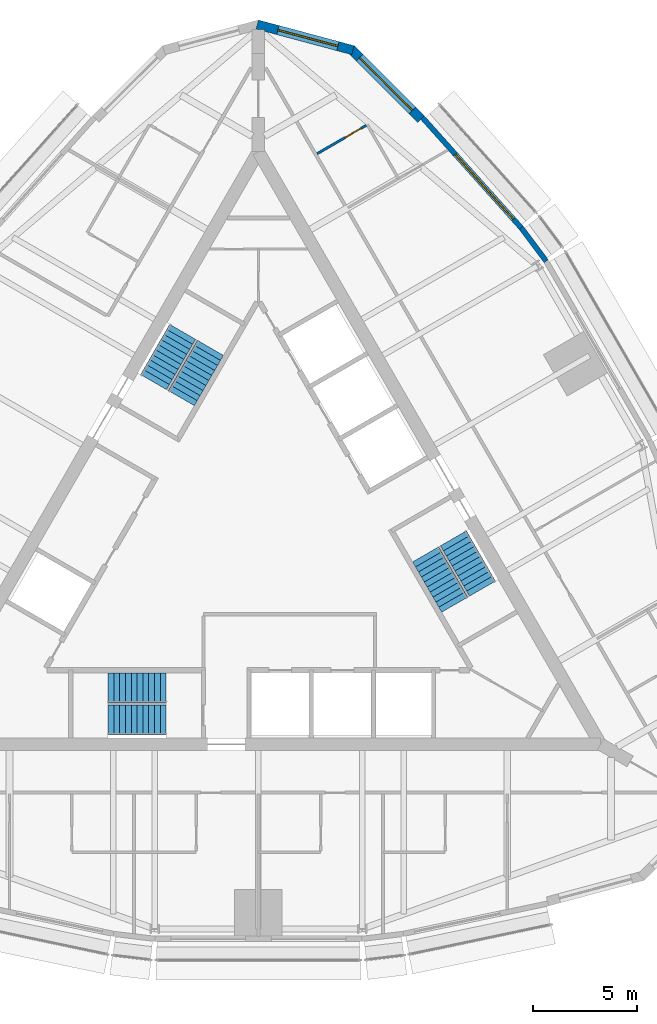
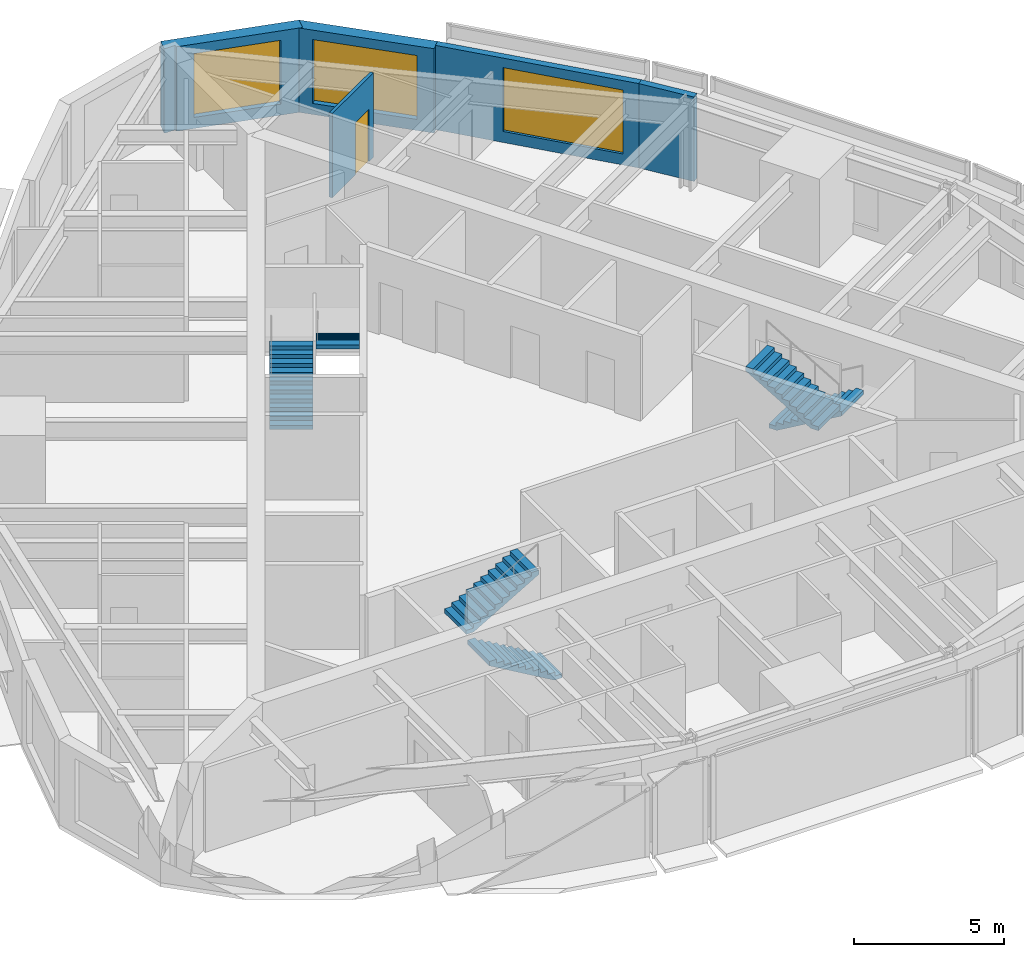
# One storey, part 11 of 12: 6 stair flights, 5 walls, 3 windows, 1 door, 4 openings, 3 elements without a shape of their own.
"""IFC4 building model written with IfcOpenShell, lengths in metres."""

from ifc_helpers import new_model, si_unit, direction, frame, frame_2d, origin, place, context, subcontext, project, spatial, polyline, rectangle, outline, extrude, material, layer, layer_set, type_object, element, fill, aggregate, save


model = new_model("IFC4")

# Units and contexts
model_context = context("Model", 3, precision=1e-05, world=origin(), true_north=direction((0.0, 1.0)))
body_context = subcontext(model_context, "Body", "Model", "MODEL_VIEW")
ifc_project = project(units=[si_unit("LENGTHUNIT", "METRE"), si_unit("AREAUNIT", "SQUARE_METRE"), si_unit("VOLUMEUNIT", "CUBIC_METRE"), si_unit("PLANEANGLEUNIT", "RADIAN"), si_unit("MASSUNIT", "GRAM", prefix="KILO")], contexts=[model_context])

# Site, building, storey
site_placement = place(None, origin())
site = spatial("IfcSite", under=ifc_project, at=site_placement, CompositionType="ELEMENT")
building_placement = place(site_placement, origin())
building = spatial("IfcBuilding", under=site, at=building_placement, Name="Trikona Tower", CompositionType="ELEMENT")
storey_placement = place(building_placement, frame((0.0, 0.0, 268.10009765625)))
storey = spatial("IfcBuildingStorey", under=building, at=storey_placement, Name="L71", CompositionType="ELEMENT", Elevation=268.10009765625)

# Wall, opening, door
ifc_material_1 = material(Name="Metal stud and cement board", Category="gypsum")
ifc_layer_1 = layer(ifc_material_1, 0.1201171875)
ifc_layer_set_1 = layer_set([ifc_layer_1], Name="Bathroom wall 120")
wall_type_1 = type_object("IfcWallType", Name="Bathroom wall 120", PredefinedType="PLUMBINGWALL", material=ifc_layer_set_1)
wall_1_placement = place(storey_placement, frame((2.82861328125, 18.95361328125, 0.0), z_axis=(0.0, 0.0, 1.0), x_axis=(0.866035715982, 0.499982138324, 0.0)))
wall_1 = element("IfcWall", 1, at=wall_1_placement, inside=storey, type_object=wall_type_1, Name="Bathroom wall 7105.2", PredefinedType="PLUMBINGWALL", context=body_context, shape_type="SweptSolid", body=[
    extrude(rectangle(XDim=2.73974609375, YDim=0.1201171875, at=frame_2d((1.369873046875, 0.0))), origin(), (0.0, 0.0, 1.0), 3.434814453125),
])
opening_1_placement = place(wall_1_placement, frame((1.550048828125, 0.0, 0.0)))
opening_1 = element("IfcOpeningElement", 2, at=opening_1_placement, cuts=wall_1, Name="Opening D2", PredefinedType="OPENING", context=body_context, shape_type="SweptSolid", body=[
    extrude(rectangle(XDim=0.89990234375, YDim=2.1298828125, at=frame_2d((0.449951171875, 1.06494140625))), frame((0.0, 0.070068359375, 0.0), z_axis=(0.0, -1.0, 0.0), x_axis=(1.0, 0.0, 0.0)), (0.0, 0.0, 1.0), 0.14013671875),
])
ifc_material_2 = material(Name="Steel door frame with solid-core timber leaf", Category="steel")
door_type = type_object("IfcDoorType", Name="Bathroom door 900x2130", OperationType="SLIDING_TO_LEFT", PredefinedType="DOOR", material=ifc_material_2)
door_placement = place(opening_1_placement, origin())
door = element("IfcDoor", 3, at=door_placement, inside=storey, type_object=door_type, Name="Bathroom door 7105.2", OperationType="SLIDING_TO_LEFT", OverallHeight=2.1298828125, OverallWidth=0.89990234375, PredefinedType="DOOR", context=body_context, shape_type="SweptSolid", body=[
    extrude(rectangle(XDim=0.89990234375, YDim=2.1298828125, at=frame_2d((0.449951171875, 1.06494140625))), frame((0.0, 0.02490234375, 0.0), z_axis=(0.0, -1.0, 0.0), x_axis=(1.0, 0.0, 0.0)), (0.0, 0.0, 1.0), 0.050048828125),
])
fill(opening_1, door)

# Wall, opening, window
ifc_material_3 = material(Name="Brick-faced precast concrete", Category="masonry")
ifc_layer_2 = layer(ifc_material_3, 0.449951171875)
ifc_layer_set_2 = layer_set([ifc_layer_2], Name="Brick-faced corner wall 450")
wall_type_2 = type_object("IfcWallType", Name="Brick-faced corner wall 450", PredefinedType="SOLIDWALL", material=ifc_layer_set_2)
wall_2_placement = place(storey_placement, frame((7.8408203125, 20.62548828125, 0.0), z_axis=(0.0, 0.0, 1.0), x_axis=(-0.707106781187, 0.707106781187, 0.0)))
wall_2 = element("IfcWall", 4, at=wall_2_placement, inside=storey, type_object=wall_type_2, Name="External wall L71-14", PredefinedType="SOLIDWALL", context=body_context, shape_type="SweptSolid", body=[
    extrude(rectangle(XDim=4.781494140625, YDim=0.449951171875, at=frame_2d((2.390625, 0.0))), origin(), (0.0, 0.0, 1.0), 3.434814453125),
])
opening_2_placement = place(wall_2_placement, frame((0.5908203125, 0.0, 0.449951171875)))
opening_2 = element("IfcOpeningElement", 5, at=opening_2_placement, cuts=wall_2, Name="Opening W3626", PredefinedType="OPENING", context=body_context, shape_type="SweptSolid", body=[
    extrude(rectangle(XDim=3.60009765625, YDim=2.60009765625, at=frame_2d((1.800048828125, 1.300048828125))), frame((0.0, 0.23486328125, 0.0), z_axis=(0.0, -1.0, 0.0), x_axis=(1.0, 0.0, 0.0)), (0.0, 0.0, 1.0), 0.469970703125),
])
ifc_material_4 = material(Name="Aluminium-framed double glazing", Category="aluminium")
window_type_1 = type_object("IfcWindowType", Name="Window 3600x2600", PartitioningType="SINGLE_PANEL", PredefinedType="WINDOW", material=ifc_material_4)
window_1_placement = place(opening_2_placement, origin())
window_1 = element("IfcWindow", 6, at=window_1_placement, inside=storey, type_object=window_type_1, Name="Window 7105.2", OverallHeight=2.60009765625, OverallWidth=3.60009765625, PartitioningType="SINGLE_PANEL", PredefinedType="WINDOW", context=body_context, shape_type="SweptSolid", body=[
    extrude(rectangle(XDim=3.60009765625, YDim=2.60009765625, at=frame_2d((1.800048828125, 1.300048828125))), frame((0.0, 0.030029296875, 0.0), z_axis=(0.0, -1.0, 0.0), x_axis=(1.0, 0.0, 0.0)), (0.0, 0.0, 1.0), 0.06005859375),
])
fill(opening_2, window_1)

wall_3_placement = place(storey_placement, frame((4.560546875, 23.948486328125, 0.0), z_axis=(0.0, 0.0, 1.0), x_axis=(-0.965926628191, 0.258816052347, 0.0)))
wall_3 = element("IfcWall", 7, at=wall_3_placement, inside=storey, type_object=wall_type_2, Name="External wall L71-15", PredefinedType="SOLIDWALL", context=body_context, shape_type="SweptSolid", body=[
    extrude(outline(polyline([(4.781494140625, 0.22509765625), (4.722412109375, 0.22509765625), (4.37548828125, 0.132080078125), (4.3505859375, 0.22509765625), (0.0, 0.22509765625), (0.0, -0.22509765625), (4.781494140625, -0.22509765625), (4.781494140625, 0.22509765625)])), origin(), (0.0, 0.0, 1.0), 3.434814453125),
])
opening_3_placement = place(wall_3_placement, frame((0.750244140625, 0.0, 0.449951171875)))
opening_3 = element("IfcOpeningElement", 8, at=opening_3_placement, cuts=wall_3, Name="Opening W3026", PredefinedType="OPENING", context=body_context, shape_type="SweptSolid", body=[
    extrude(rectangle(XDim=3.0, YDim=2.60009765625, at=frame_2d((1.5, 1.300048828125))), frame((0.0, 0.23486328125, 0.0), z_axis=(0.0, -1.0, 0.0), x_axis=(1.0, 0.0, 0.0)), (0.0, 0.0, 1.0), 0.469970703125),
])
ifc_material_5 = material(Name="Aluminium-framed double glazing", Category="aluminium")
window_type_2 = type_object("IfcWindowType", Name="Window 3000x2600", PartitioningType="SINGLE_PANEL", PredefinedType="WINDOW", material=ifc_material_5)
window_2_placement = place(opening_3_placement, origin())
window_2 = element("IfcWindow", 9, at=window_2_placement, inside=storey, type_object=window_type_2, Name="Window 7105.2", OverallHeight=2.60009765625, OverallWidth=3.0, PartitioningType="SINGLE_PANEL", PredefinedType="WINDOW", context=body_context, shape_type="SweptSolid", body=[
    extrude(rectangle(XDim=3.0, YDim=2.60009765625, at=frame_2d((1.5, 1.300048828125))), frame((0.0, 0.030029296875, 0.0), z_axis=(0.0, -1.0, 0.0), x_axis=(1.0, 0.0, 0.0)), (0.0, 0.0, 1.0), 0.06005859375),
])
fill(opening_3, window_2)

# Wall
ifc_material_6 = material(Name="Insulated precast concrete spandrel panel", Category="concrete")
ifc_layer_3 = layer(ifc_material_6, 0.25)
ifc_layer_set_3 = layer_set([ifc_layer_3], Name="Inner skin wall 250")
wall_type_3 = type_object("IfcWallType", Name="Inner skin wall 250", PredefinedType="STANDARD", material=ifc_layer_set_3)
wall_4_placement = place(storey_placement, frame((13.880859375, 13.7705078125, 0.0), z_axis=(0.0, 0.0, 1.0), x_axis=(-0.599650843534, 0.800261748335, 0.0)))
element("IfcWall", 10, at=wall_4_placement, inside=storey, type_object=wall_type_3, Name="External wall L71-12", PredefinedType="STANDARD", context=body_context, shape_type="SweptSolid", body=[
    extrude(rectangle(XDim=2.01416015625, YDim=0.25, at=frame_2d((1.007080078125, 0.0))), origin(), (0.0, 0.0, 1.0), 3.434814453125),
])

# Wall, opening, window
wall_5_placement = place(storey_placement, frame((12.679931640625, 15.3740234375, 0.0), z_axis=(0.0, 0.0, 1.0), x_axis=(-0.667303550892, 0.744785855778, 0.0)))
wall_5 = element("IfcWall", 11, at=wall_5_placement, inside=storey, type_object=wall_type_3, Name="External wall L71-13", PredefinedType="STANDARD", context=body_context, shape_type="SweptSolid", body=[
    extrude(rectangle(XDim=7.152587890625, YDim=0.25, at=frame_2d((3.576171875, 0.0))), origin(), (0.0, 0.0, 1.0), 3.434814453125),
])
opening_4_placement = place(wall_5_placement, frame((0.576904296875, 0.0, 0.449951171875)))
opening_4 = element("IfcOpeningElement", 12, at=opening_4_placement, cuts=wall_5, Name="Opening W4226", PredefinedType="OPENING", context=body_context, shape_type="SweptSolid", body=[
    extrude(rectangle(XDim=4.199951171875, YDim=2.60009765625, at=frame_2d((2.10009765625, 1.300048828125))), frame((0.0, 0.135009765625, 0.0), z_axis=(0.0, -1.0, 0.0), x_axis=(1.0, 0.0, 0.0)), (0.0, 0.0, 1.0), 0.27001953125),
])
ifc_material_7 = material(Name="Aluminium-framed double glazing", Category="aluminium")
window_type_3 = type_object("IfcWindowType", Name="Window 4200x2600", PartitioningType="SINGLE_PANEL", PredefinedType="WINDOW", material=ifc_material_7)
window_3_placement = place(opening_4_placement, origin())
window_3 = element("IfcWindow", 13, at=window_3_placement, inside=storey, type_object=window_type_3, Name="Window 7105.3", OverallHeight=2.60009765625, OverallWidth=4.199951171875, PartitioningType="SINGLE_PANEL", PredefinedType="WINDOW", context=body_context, shape_type="SweptSolid", body=[
    extrude(rectangle(XDim=4.199951171875, YDim=2.60009765625, at=frame_2d((2.10009765625, 1.300048828125))), frame((0.0, 0.030029296875, 0.0), z_axis=(0.0, -1.0, 0.0), x_axis=(1.0, 0.0, 0.0)), (0.0, 0.0, 1.0), 0.06005859375),
])
fill(opening_4, window_3)

# Stair, stair flights
ifc_material_8 = material(Name="Concrete f'c 5000 psi", Category="concrete")
stair_type = type_object("IfcStairType", Name="Core stair", PredefinedType="HALF_TURN_STAIR", material=ifc_material_8)
stair_1_placement = place(storey_placement, origin())
stair_1 = element("IfcStair", 14, at=stair_1_placement, inside=storey, type_object=stair_type, Name="Stair A L71", PredefinedType="HALF_TURN_STAIR")
ifc_material_9 = material(Name="Concrete f'c 5000 psi", Category="concrete")
stair_flight_type = type_object("IfcStairFlightType", Name="Core stair flight 1450", PredefinedType="STRAIGHT", material=ifc_material_9)
stair_flight_1_placement = place(storey_placement, frame((-4.449951171875, -8.351318359375, 0.0), z_axis=(0.0, 0.0, 1.0), x_axis=(-1.0, 0.0, 0.0)))
stair_flight_1 = element("IfcStairFlight", 15, at=stair_flight_1_placement, type_object=stair_flight_type, Name="ST-A flight 1", NumberOfRisers=11, NumberOfTreads=10, PredefinedType="STRAIGHT", RiserHeight=0.163636, TreadLength=0.28, context=body_context, shape_type="SweptSolid", body=[
    extrude(outline(polyline([(0.0, 0.0), (0.0, 0.16357421875), (0.280029296875, 0.16357421875), (0.280029296875, 0.327392578125), (0.56005859375, 0.327392578125), (0.56005859375, 0.490966796875), (0.840087890625, 0.490966796875), (0.840087890625, 0.654541015625), (1.1201171875, 0.654541015625), (1.1201171875, 0.818115234375), (1.39990234375, 0.818115234375), (1.39990234375, 0.98193359375), (1.679931640625, 0.98193359375), (1.679931640625, 1.1455078125), (1.9599609375, 1.1455078125), (1.9599609375, 1.30908203125), (2.239990234375, 1.30908203125), (2.239990234375, 1.47265625), (2.52001953125, 1.47265625), (2.52001953125, 1.636474609375), (2.800048828125, 1.636474609375), (2.800048828125, 1.800048828125), (2.800048828125, 1.462646484375), (0.297119140625, 0.0), (0.0, 0.0)])), frame((0.0, 0.72509765625, 0.0), z_axis=(0.0, -1.0, 0.0), x_axis=(1.0, 0.0, 0.0)), (0.0, 0.0, 1.0), 1.449951171875),
])
stair_flight_2_placement = place(storey_placement, frame((-7.25, -6.80126953125, 1.7998046875), z_axis=(0.0, 0.0, 1.0), x_axis=(1.0, 0.0, 0.0)))
stair_flight_2 = element("IfcStairFlight", 16, at=stair_flight_2_placement, type_object=stair_flight_type, Name="ST-A flight 2", NumberOfRisers=11, NumberOfTreads=10, PredefinedType="STRAIGHT", RiserHeight=0.163636, TreadLength=0.28, context=body_context, shape_type="SweptSolid", body=[
    extrude(outline(polyline([(0.0, 0.0), (0.0, 0.16357421875), (0.280029296875, 0.16357421875), (0.280029296875, 0.327392578125), (0.56005859375, 0.327392578125), (0.56005859375, 0.490966796875), (0.840087890625, 0.490966796875), (0.840087890625, 0.654541015625), (1.1201171875, 0.654541015625), (1.1201171875, 0.818115234375), (1.39990234375, 0.818115234375), (1.39990234375, 0.98193359375), (1.679931640625, 0.98193359375), (1.679931640625, 1.1455078125), (1.9599609375, 1.1455078125), (1.9599609375, 1.30908203125), (2.239990234375, 1.30908203125), (2.239990234375, 1.47265625), (2.52001953125, 1.47265625), (2.52001953125, 1.636474609375), (2.800048828125, 1.636474609375), (2.800048828125, 1.800048828125), (2.800048828125, 1.462646484375), (0.297119140625, 0.0), (0.0, 0.0)])), frame((0.0, 0.72509765625, 0.0), z_axis=(0.0, -1.0, 0.0), x_axis=(1.0, 0.0, 0.0)), (0.0, 0.0, 1.0), 1.449951171875),
])
aggregate(stair_1, [stair_flight_1, stair_flight_2])

stair_2_placement = place(storey_placement, origin())
stair_2 = element("IfcStair", 17, at=stair_2_placement, inside=storey, type_object=stair_type, Name="Stair B L71", PredefinedType="HALF_TURN_STAIR")
stair_flight_3_placement = place(storey_placement, frame((9.407470703125, 0.408447265625, 0.0), z_axis=(0.0, 0.0, 1.0), x_axis=(0.5, -0.866025403784, 0.0)))
stair_flight_3 = element("IfcStairFlight", 18, at=stair_flight_3_placement, type_object=stair_flight_type, Name="ST-B flight 1", NumberOfRisers=11, NumberOfTreads=10, PredefinedType="STRAIGHT", RiserHeight=0.163636, TreadLength=0.28, context=body_context, shape_type="SweptSolid", body=[
    extrude(outline(polyline([(0.0, 0.0), (0.0, 0.16357421875), (0.280029296875, 0.16357421875), (0.280029296875, 0.327392578125), (0.56005859375, 0.327392578125), (0.56005859375, 0.490966796875), (0.840087890625, 0.490966796875), (0.840087890625, 0.654541015625), (1.1201171875, 0.654541015625), (1.1201171875, 0.818115234375), (1.39990234375, 0.818115234375), (1.39990234375, 0.98193359375), (1.679931640625, 0.98193359375), (1.679931640625, 1.1455078125), (1.9599609375, 1.1455078125), (1.9599609375, 1.30908203125), (2.239990234375, 1.30908203125), (2.239990234375, 1.47265625), (2.52001953125, 1.47265625), (2.52001953125, 1.636474609375), (2.800048828125, 1.636474609375), (2.800048828125, 1.800048828125), (2.800048828125, 1.462646484375), (0.297119140625, 0.0), (0.0, 0.0)])), frame((0.0, 0.72509765625, 0.0), z_axis=(0.0, -1.0, 0.0), x_axis=(1.0, 0.0, 0.0)), (0.0, 0.0, 1.0), 1.449951171875),
])
stair_flight_4_placement = place(storey_placement, frame((9.465087890625, -2.79150390625, 1.7998046875), z_axis=(0.0, 0.0, 1.0), x_axis=(-0.5, 0.866025403784, 0.0)))
stair_flight_4 = element("IfcStairFlight", 19, at=stair_flight_4_placement, type_object=stair_flight_type, Name="ST-B flight 2", NumberOfRisers=11, NumberOfTreads=10, PredefinedType="STRAIGHT", RiserHeight=0.163636, TreadLength=0.28, context=body_context, shape_type="SweptSolid", body=[
    extrude(outline(polyline([(0.0, 0.0), (0.0, 0.16357421875), (0.280029296875, 0.16357421875), (0.280029296875, 0.327392578125), (0.56005859375, 0.327392578125), (0.56005859375, 0.490966796875), (0.840087890625, 0.490966796875), (0.840087890625, 0.654541015625), (1.1201171875, 0.654541015625), (1.1201171875, 0.818115234375), (1.39990234375, 0.818115234375), (1.39990234375, 0.98193359375), (1.679931640625, 0.98193359375), (1.679931640625, 1.1455078125), (1.9599609375, 1.1455078125), (1.9599609375, 1.30908203125), (2.239990234375, 1.30908203125), (2.239990234375, 1.47265625), (2.52001953125, 1.47265625), (2.52001953125, 1.636474609375), (2.800048828125, 1.636474609375), (2.800048828125, 1.800048828125), (2.800048828125, 1.462646484375), (0.297119140625, 0.0), (0.0, 0.0)])), frame((0.0, 0.72509765625, 0.0), z_axis=(0.0, -1.0, 0.0), x_axis=(1.0, 0.0, 0.0)), (0.0, 0.0, 1.0), 1.449951171875),
])
aggregate(stair_2, [stair_flight_3, stair_flight_4])

stair_3_placement = place(storey_placement, origin())
stair_3 = element("IfcStair", 20, at=stair_3_placement, inside=storey, type_object=stair_type, Name="Stair C L71", PredefinedType="HALF_TURN_STAIR")
stair_flight_5_placement = place(storey_placement, frame((-5.057373046875, 7.94287109375, 0.0), z_axis=(0.0, 0.0, 1.0), x_axis=(0.5, 0.866025403784, 0.0)))
stair_flight_5 = element("IfcStairFlight", 21, at=stair_flight_5_placement, type_object=stair_flight_type, Name="ST-C flight 1", NumberOfRisers=11, NumberOfTreads=10, PredefinedType="STRAIGHT", RiserHeight=0.163636, TreadLength=0.28, context=body_context, shape_type="SweptSolid", body=[
    extrude(outline(polyline([(0.0, 0.0), (0.0, 0.16357421875), (0.280029296875, 0.16357421875), (0.280029296875, 0.327392578125), (0.56005859375, 0.327392578125), (0.56005859375, 0.490966796875), (0.840087890625, 0.490966796875), (0.840087890625, 0.654541015625), (1.1201171875, 0.654541015625), (1.1201171875, 0.818115234375), (1.39990234375, 0.818115234375), (1.39990234375, 0.98193359375), (1.679931640625, 0.98193359375), (1.679931640625, 1.1455078125), (1.9599609375, 1.1455078125), (1.9599609375, 1.30908203125), (2.239990234375, 1.30908203125), (2.239990234375, 1.47265625), (2.52001953125, 1.47265625), (2.52001953125, 1.636474609375), (2.800048828125, 1.636474609375), (2.800048828125, 1.800048828125), (2.800048828125, 1.462646484375), (0.297119140625, 0.0), (0.0, 0.0)])), frame((0.0, 0.72509765625, 0.0), z_axis=(0.0, -1.0, 0.0), x_axis=(1.0, 0.0, 0.0)), (0.0, 0.0, 1.0), 1.449951171875),
])
stair_flight_6_placement = place(storey_placement, frame((-2.315185546875, 9.5927734375, 1.7998046875), z_axis=(0.0, 0.0, 1.0), x_axis=(-0.5, -0.866025403784, 0.0)))
stair_flight_6 = element("IfcStairFlight", 22, at=stair_flight_6_placement, type_object=stair_flight_type, Name="ST-C flight 2", NumberOfRisers=11, NumberOfTreads=10, PredefinedType="STRAIGHT", RiserHeight=0.163636, TreadLength=0.28, context=body_context, shape_type="SweptSolid", body=[
    extrude(outline(polyline([(0.0, 0.0), (0.0, 0.16357421875), (0.280029296875, 0.16357421875), (0.280029296875, 0.327392578125), (0.56005859375, 0.327392578125), (0.56005859375, 0.490966796875), (0.840087890625, 0.490966796875), (0.840087890625, 0.654541015625), (1.1201171875, 0.654541015625), (1.1201171875, 0.818115234375), (1.39990234375, 0.818115234375), (1.39990234375, 0.98193359375), (1.679931640625, 0.98193359375), (1.679931640625, 1.1455078125), (1.9599609375, 1.1455078125), (1.9599609375, 1.30908203125), (2.239990234375, 1.30908203125), (2.239990234375, 1.47265625), (2.52001953125, 1.47265625), (2.52001953125, 1.636474609375), (2.800048828125, 1.636474609375), (2.800048828125, 1.800048828125), (2.800048828125, 1.462646484375), (0.297119140625, 0.0), (0.0, 0.0)])), frame((0.0, 0.72509765625, 0.0), z_axis=(0.0, -1.0, 0.0), x_axis=(1.0, 0.0, 0.0)), (0.0, 0.0, 1.0), 1.449951171875),
])
aggregate(stair_3, [stair_flight_5, stair_flight_6])

save(model, "model.ifc")
